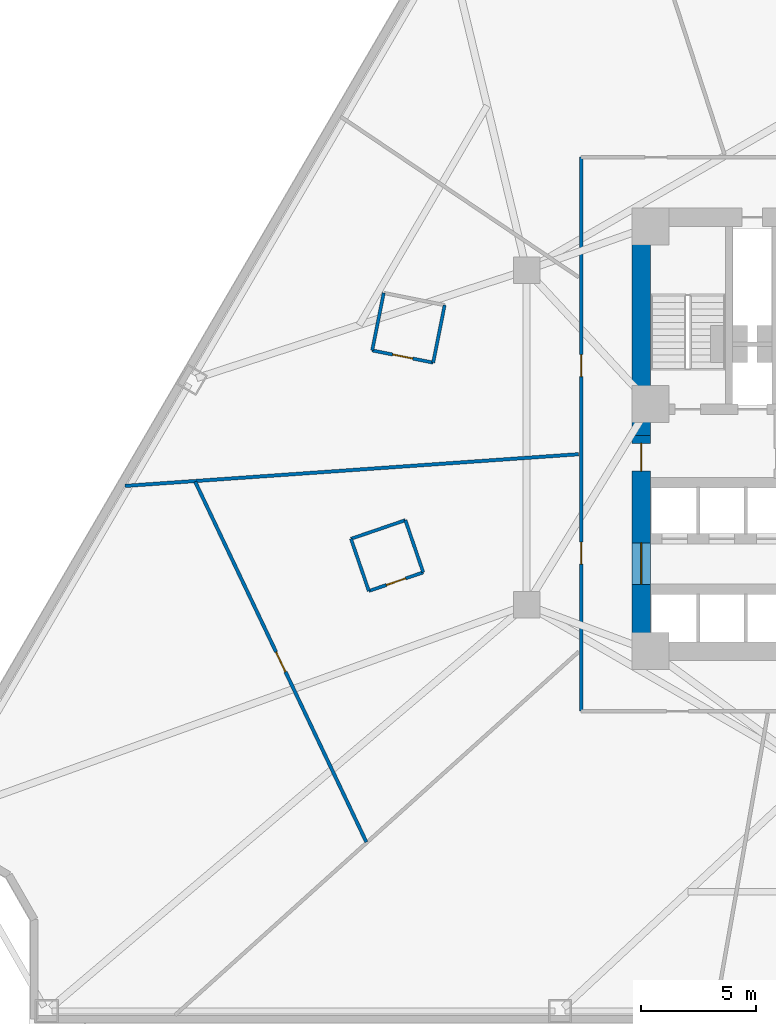
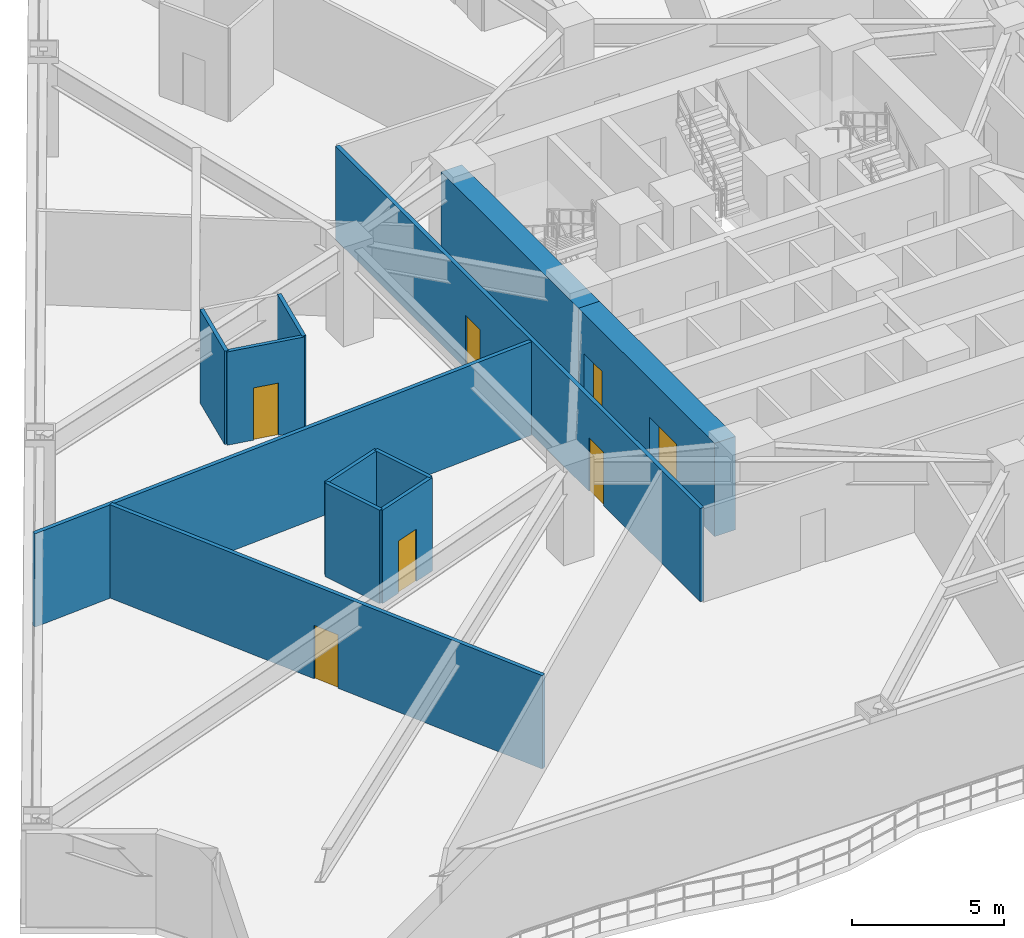
# One storey, part 3 of 10: 12 walls, 7 doors, 7 openings.
"""IFC4 building model written with IfcOpenShell, lengths in metres."""

from ifc_helpers import new_model, si_unit, direction, frame, frame_2d, origin, place, context, subcontext, project, spatial, rectangle, extrude, material, layer, layer_set, type_object, element, fill, save


model = new_model("IFC4")

# Units and contexts
model_context = context("Model", 3, precision=1e-05, world=origin(), true_north=direction((0.0, 1.0)))
body_context = subcontext(model_context, "Body", "Model", "MODEL_VIEW")
ifc_project = project(units=[si_unit("LENGTHUNIT", "METRE"), si_unit("AREAUNIT", "SQUARE_METRE"), si_unit("VOLUMEUNIT", "CUBIC_METRE"), si_unit("PLANEANGLEUNIT", "RADIAN"), si_unit("MASSUNIT", "GRAM", prefix="KILO")], contexts=[model_context])

# Site, building, storey
site_placement = place(None, origin())
site = spatial("IfcSite", under=ifc_project, at=site_placement, CompositionType="ELEMENT")
building_placement = place(site_placement, origin())
building = spatial("IfcBuilding", under=site, at=building_placement, Name="Apsidion Concourse Tower", CompositionType="ELEMENT")
storey_placement = place(building_placement, frame((0.0, 0.0, 38.39990234375)))
storey = spatial("IfcBuildingStorey", under=building, at=storey_placement, Name="L07", CompositionType="ELEMENT", Elevation=38.39990234375)

# Walls
ifc_material_1 = material(Name="Gypsum plasterboard partition")
ifc_layer_1 = layer(ifc_material_1, 0.139892578125)
ifc_layer_set_1 = layer_set([ifc_layer_1], Name="Gypsum plasterboard partition")
wall_type_1 = type_object("IfcWallType", Name="WL-INT-PAR-140", PredefinedType="PARTITIONING", material=ifc_layer_set_1)
wall_1_placement = place(storey_placement, frame((-17.8134765625, -3.579345703125, 0.0), z_axis=(0.0, 0.0, 1.0), x_axis=(-0.946073071665, -0.323953303843, 0.0)))
element("IfcWall", 1, at=wall_1_placement, inside=storey, type_object=wall_type_1, Name="L07 Interior Partition WL-L07-POD-HKAWC-S1", PredefinedType="PARTITIONING", context=body_context, shape_type="SweptSolid", body=[
    extrude(rectangle(XDim=2.489990234375, YDim=0.139892578125, at=frame_2d((1.2451171875, 0.0))), origin(), (0.0, 0.0, 1.0), 3.75),
])
wall_2_placement = place(storey_placement, frame((-20.169189453125, -4.385986328125, 0.0), z_axis=(0.0, 0.0, 1.0), x_axis=(0.323909063217, -0.946088219336, 0.0)))
element("IfcWall", 2, at=wall_2_placement, inside=storey, type_object=wall_type_1, Name="L07 Interior Partition WL-L07-POD-HKAWC-S2", PredefinedType="PARTITIONING", context=body_context, shape_type="SweptSolid", body=[
    extrude(rectangle(XDim=2.39013671875, YDim=0.139892578125, at=frame_2d((1.195068359375, 0.0))), origin(), (0.0, 0.0, 1.0), 3.75),
])

# Wall, opening, door
wall_3_placement = place(storey_placement, frame((-19.39501953125, -6.647216796875, 0.0), z_axis=(0.0, 0.0, 1.0), x_axis=(0.946073071665, 0.323953303843, 0.0)))
wall_3 = element("IfcWall", 3, at=wall_3_placement, inside=storey, type_object=wall_type_1, Name="L07 Interior Partition WL-L07-POD-HKAWC-S3", PredefinedType="PARTITIONING", context=body_context, shape_type="SweptSolid", body=[
    extrude(rectangle(XDim=2.489990234375, YDim=0.139892578125, at=frame_2d((1.2451171875, 0.0))), origin(), (0.0, 0.0, 1.0), 3.75),
])
opening_1_placement = place(wall_3_placement, frame((0.804931640625, 0.0, 0.0)))
opening_1 = element("IfcOpeningElement", 4, at=opening_1_placement, cuts=wall_3, Name="Opening D-03L", PredefinedType="OPENING", context=body_context, shape_type="SweptSolid", body=[
    extrude(rectangle(XDim=0.8798828125, YDim=2.10009765625, at=frame_2d((0.43994140625, 1.050048828125))), frame((0.0, 0.080078125, 0.0), z_axis=(0.0, -1.0, 0.0), x_axis=(1.0, 0.0, 0.0)), (0.0, 0.0, 1.0), 0.159912109375),
])
ifc_material_2 = material(Name="Anodised aluminium EN AW-6063 T6", Category="aluminium")
door_type_1 = type_object("IfcDoorType", Name="DR-INT-D03L", OperationType="SINGLE_SWING_LEFT", PredefinedType="DOOR", material=ifc_material_2)
door_1_placement = place(opening_1_placement, origin())
door_1 = element("IfcDoor", 5, at=door_1_placement, inside=storey, type_object=door_type_1, Name="L07 Hotel Accessible WC Door HKAWC", OperationType="SINGLE_SWING_LEFT", OverallHeight=2.10009765625, OverallWidth=0.8798828125, PredefinedType="DOOR", context=body_context, shape_type="SweptSolid", body=[
    extrude(rectangle(XDim=0.8798828125, YDim=2.10009765625, at=frame_2d((0.43994140625, 1.050048828125))), frame((0.0, 0.02490234375, 0.0), z_axis=(0.0, -1.0, 0.0), x_axis=(1.0, 0.0, 0.0)), (0.0, 0.0, 1.0), 0.050048828125),
])
fill(opening_1, door_1)

# Walls
wall_4_placement = place(storey_placement, frame((-17.039306640625, -5.840576171875, 0.0), z_axis=(0.0, 0.0, 1.0), x_axis=(-0.323909063217, 0.946088219336, 0.0)))
element("IfcWall", 6, at=wall_4_placement, inside=storey, type_object=wall_type_1, Name="L07 Interior Partition WL-L07-POD-HKAWC-S4", PredefinedType="PARTITIONING", context=body_context, shape_type="SweptSolid", body=[
    extrude(rectangle(XDim=2.39013671875, YDim=0.139892578125, at=frame_2d((1.195068359375, 0.0))), origin(), (0.0, 0.0, 1.0), 3.75),
])
wall_5_placement = place(storey_placement, frame((-18.749755859375, 6.266845703125, 0.0), z_axis=(0.0, 0.0, 1.0), x_axis=(-0.195986742402, -0.98060654536, 0.0)))
element("IfcWall", 7, at=wall_5_placement, inside=storey, type_object=wall_type_1, Name="L07 Interior Partition WL-L07-POD-ENS09-S2", PredefinedType="PARTITIONING", context=body_context, shape_type="SweptSolid", body=[
    extrude(rectangle(XDim=2.5400390625, YDim=0.139892578125, at=frame_2d((1.27001953125, 0.0))), origin(), (0.0, 0.0, 1.0), 3.75),
])

# Wall, opening, door
wall_6_placement = place(storey_placement, frame((-19.24755859375, 3.776123046875, 0.0), z_axis=(0.0, 0.0, 1.0), x_axis=(0.980615566205, -0.195941601799, 0.0)))
wall_6 = element("IfcWall", 8, at=wall_6_placement, inside=storey, type_object=wall_type_1, Name="L07 Interior Partition WL-L07-POD-ENS09-S3", PredefinedType="PARTITIONING", context=body_context, shape_type="SweptSolid", body=[
    extrude(rectangle(XDim=2.690185546875, YDim=0.139892578125, at=frame_2d((1.34521484375, 0.0))), origin(), (0.0, 0.0, 1.0), 3.75),
])
opening_2_placement = place(wall_6_placement, frame((0.905029296875, 0.0, 0.0)))
opening_2 = element("IfcOpeningElement", 9, at=opening_2_placement, cuts=wall_6, Name="Opening D-03R", PredefinedType="OPENING", context=body_context, shape_type="SweptSolid", body=[
    extrude(rectangle(XDim=0.8798828125, YDim=2.10009765625, at=frame_2d((0.43994140625, 1.050048828125))), frame((0.0, 0.080078125, 0.0), z_axis=(0.0, -1.0, 0.0), x_axis=(1.0, 0.0, 0.0)), (0.0, 0.0, 1.0), 0.159912109375),
])
door_type_2 = type_object("IfcDoorType", Name="DR-INT-D03R", OperationType="SINGLE_SWING_RIGHT", PredefinedType="DOOR", material=ifc_material_2)
door_2_placement = place(opening_2_placement, origin())
door_2 = element("IfcDoor", 10, at=door_2_placement, inside=storey, type_object=door_type_2, Name="L07 Guest En-Suite Bathroom Door ENS09", OperationType="SINGLE_SWING_RIGHT", OverallHeight=2.10009765625, OverallWidth=0.8798828125, PredefinedType="DOOR", context=body_context, shape_type="SweptSolid", body=[
    extrude(rectangle(XDim=0.8798828125, YDim=2.10009765625, at=frame_2d((0.43994140625, 1.050048828125))), frame((0.0, 0.02490234375, 0.0), z_axis=(0.0, -1.0, 0.0), x_axis=(1.0, 0.0, 0.0)), (0.0, 0.0, 1.0), 0.050048828125),
])
fill(opening_2, door_2)

# Wall
wall_7_placement = place(storey_placement, frame((-16.609619140625, 3.2490234375, 0.0), z_axis=(0.0, 0.0, 1.0), x_axis=(0.195986742402, 0.98060654536, 0.0)))
element("IfcWall", 11, at=wall_7_placement, inside=storey, type_object=wall_type_1, Name="L07 Interior Partition WL-L07-POD-ENS09-S4", PredefinedType="PARTITIONING", context=body_context, shape_type="SweptSolid", body=[
    extrude(rectangle(XDim=2.5400390625, YDim=0.139892578125, at=frame_2d((1.27001953125, 0.0))), origin(), (0.0, 0.0, 1.0), 3.75),
])

# Wall, openings, doors
ifc_layer_2 = layer(ifc_material_1, 0.14990234375)
ifc_layer_set_2 = layer_set([ifc_layer_2], Name="Gypsum plasterboard partition")
wall_type_2 = type_object("IfcWallType", Name="WL-INT-PAR-150", PredefinedType="PARTITIONING", material=ifc_layer_set_2)
wall_8_placement = place(storey_placement, frame((-10.199951171875, -11.85009765625, 0.0), z_axis=(0.0, 0.0, 1.0), x_axis=(0.0, 1.0, 0.0)))
wall_8 = element("IfcWall", 12, at=wall_8_placement, inside=storey, type_object=wall_type_2, Name="L07 Interior Partition WL-L07-CORR-04", PredefinedType="PARTITIONING", context=body_context, shape_type="SweptSolid", body=[
    extrude(rectangle(XDim=24.0, YDim=0.14990234375, at=frame_2d((12.0, 0.0))), origin(), (0.0, 0.0, 1.0), 3.75),
])
opening_3_placement = place(wall_8_placement, frame((6.372314453125, 0.0, 0.0)))
opening_3 = element("IfcOpeningElement", 13, at=opening_3_placement, cuts=wall_8, Name="Opening D-01L", PredefinedType="OPENING", context=body_context, shape_type="SweptSolid", body=[
    extrude(rectangle(XDim=0.949951171875, YDim=2.14990234375, at=frame_2d((0.47509765625, 1.074951171875))), frame((0.0, 0.0849609375, 0.0), z_axis=(0.0, -1.0, 0.0), x_axis=(1.0, 0.0, 0.0)), (0.0, 0.0, 1.0), 0.169921875),
])
opening_4_placement = place(wall_8_placement, frame((14.489013671875, 0.0, 0.0)))
opening_4 = element("IfcOpeningElement", 14, at=opening_4_placement, cuts=wall_8, Name="Opening D-01R", PredefinedType="OPENING", context=body_context, shape_type="SweptSolid", body=[
    extrude(rectangle(XDim=0.949951171875, YDim=2.14990234375, at=frame_2d((0.47509765625, 1.074951171875))), frame((0.0, 0.0849609375, 0.0), z_axis=(0.0, -1.0, 0.0), x_axis=(1.0, 0.0, 0.0)), (0.0, 0.0, 1.0), 0.169921875),
])
ifc_material_3 = material(Name="Brushed stainless steel 316", Category="steel")
door_type_3 = type_object("IfcDoorType", Name="DR-INT-D01L", OperationType="SINGLE_SWING_LEFT", PredefinedType="DOOR", material=ifc_material_3)
door_3_placement = place(opening_3_placement, origin())
door_3 = element("IfcDoor", 15, at=door_3_placement, inside=storey, type_object=door_type_3, Name="L07 Corridor Entry Door 01", OperationType="SINGLE_SWING_LEFT", OverallHeight=2.14990234375, OverallWidth=0.949951171875, PredefinedType="DOOR", context=body_context, shape_type="SweptSolid", body=[
    extrude(rectangle(XDim=0.949951171875, YDim=2.14990234375, at=frame_2d((0.47509765625, 1.074951171875))), frame((0.0, 0.02490234375, 0.0), z_axis=(0.0, -1.0, 0.0), x_axis=(1.0, 0.0, 0.0)), (0.0, 0.0, 1.0), 0.050048828125),
])
fill(opening_3, door_3)
door_type_4 = type_object("IfcDoorType", Name="DR-INT-D01R", OperationType="SINGLE_SWING_RIGHT", PredefinedType="DOOR", material=ifc_material_3)
door_4_placement = place(opening_4_placement, origin())
door_4 = element("IfcDoor", 16, at=door_4_placement, inside=storey, type_object=door_type_4, Name="L07 Corridor Entry Door 10", OperationType="SINGLE_SWING_RIGHT", OverallHeight=2.14990234375, OverallWidth=0.949951171875, PredefinedType="DOOR", context=body_context, shape_type="SweptSolid", body=[
    extrude(rectangle(XDim=0.949951171875, YDim=2.14990234375, at=frame_2d((0.47509765625, 1.074951171875))), frame((0.0, 0.02490234375, 0.0), z_axis=(0.0, -1.0, 0.0), x_axis=(1.0, 0.0, 0.0)), (0.0, 0.0, 1.0), 0.050048828125),
])
fill(opening_4, door_4)

# Wall
wall_9_placement = place(storey_placement, frame((-10.304931640625, -0.720703125, 0.0), z_axis=(0.0, 0.0, 1.0), x_axis=(-0.997564481565, -0.069750305525, 0.0)))
element("IfcWall", 17, at=wall_9_placement, inside=storey, type_object=wall_type_2, Name="L07 Interior Partition WL-L07-RAD-06-1", PredefinedType="PARTITIONING", context=body_context, shape_type="SweptSolid", body=[
    extrude(rectangle(XDim=19.695556640625, YDim=0.14990234375, at=frame_2d((9.84765625, 0.0))), origin(), (0.0, 0.0, 1.0), 3.75),
])

# Wall, opening, door
wall_10_placement = place(storey_placement, frame((-26.921630859375, -1.90771484375, 0.0), z_axis=(0.0, 0.0, 1.0), x_axis=(0.429066894507, -0.903272716314, 0.0)))
wall_10 = element("IfcWall", 18, at=wall_10_placement, inside=storey, type_object=wall_type_2, Name="L07 Interior Partition WL-L07-CHD-HKWC", PredefinedType="PARTITIONING", context=body_context, shape_type="SweptSolid", body=[
    extrude(rectangle(XDim=17.29150390625, YDim=0.14990234375, at=frame_2d((8.645751953125, 0.0))), origin(), (0.0, 0.0, 1.0), 3.75),
])
opening_5_placement = place(wall_10_placement, frame((8.170654296875, 0.0, 0.0)))
opening_5 = element("IfcOpeningElement", 19, at=opening_5_placement, cuts=wall_10, Name="Opening D-04R", PredefinedType="OPENING", context=body_context, shape_type="SweptSolid", body=[
    extrude(rectangle(XDim=0.949951171875, YDim=2.14990234375, at=frame_2d((0.47509765625, 1.074951171875))), frame((0.0, 0.0849609375, 0.0), z_axis=(0.0, -1.0, 0.0), x_axis=(1.0, 0.0, 0.0)), (0.0, 0.0, 1.0), 0.169921875),
])
door_type_5 = type_object("IfcDoorType", Name="DR-INT-D04R", OperationType="SINGLE_SWING_RIGHT", PredefinedType="DOOR", material=ifc_material_3)
door_5_placement = place(opening_5_placement, origin())
door_5 = element("IfcDoor", 20, at=door_5_placement, inside=storey, type_object=door_type_5, Name="L07 Suite Connecting Door HKWC", OperationType="SINGLE_SWING_RIGHT", OverallHeight=2.14990234375, OverallWidth=0.949951171875, PredefinedType="DOOR", context=body_context, shape_type="SweptSolid", body=[
    extrude(rectangle(XDim=0.949951171875, YDim=2.14990234375, at=frame_2d((0.47509765625, 1.074951171875))), frame((0.0, 0.02490234375, 0.0), z_axis=(0.0, -1.0, 0.0), x_axis=(1.0, 0.0, 0.0)), (0.0, 0.0, 1.0), 0.050048828125),
])
fill(opening_5, door_5)

# Wall
ifc_material_4 = material(Name="Concrete C60/75", Category="concrete")
ifc_layer_3 = layer(ifc_material_4, 0.800048828125)
ifc_layer_set_3 = layer_set([ifc_layer_3], Name="Concrete C60/75")
wall_type_3 = type_object("IfcWallType", Name="WL-SH-800", PredefinedType="SHEAR", material=ifc_layer_set_3)
wall_11_placement = place(storey_placement, frame((-7.60009765625, 0.10009765625, 0.0), z_axis=(0.0, 0.0, 1.0), x_axis=(0.0, 1.0, 0.0)))
element("IfcWall", 21, at=wall_11_placement, inside=storey, type_object=wall_type_3, Name="L07 Central Core Shear Wall WN", PredefinedType="SHEAR", context=body_context, shape_type="SweptSolid", body=[
    extrude(rectangle(XDim=9.0498046875, YDim=0.800048828125, at=frame_2d((4.52490234375, 0.0))), origin(), (0.0, 0.0, 1.0), 3.75),
])

# Wall, openings, doors
wall_12_placement = place(storey_placement, frame((-7.60009765625, -8.85009765625, 0.0), z_axis=(0.0, 0.0, 1.0), x_axis=(0.0, 1.0, 0.0)))
wall_12 = element("IfcWall", 22, at=wall_12_placement, inside=storey, type_object=wall_type_3, Name="L07 Central Core Shear Wall WS", PredefinedType="SHEAR", context=body_context, shape_type="SweptSolid", body=[
    extrude(rectangle(XDim=8.9501953125, YDim=0.800048828125, at=frame_2d((4.47509765625, 0.0))), origin(), (0.0, 0.0, 1.0), 3.75),
])
opening_6_placement = place(wall_12_placement, frame((2.489990234375, 0.0, 0.0)))
opening_6 = element("IfcOpeningElement", 23, at=opening_6_placement, cuts=wall_12, Name="Opening D-06D", PredefinedType="OPENING", context=body_context, shape_type="SweptSolid", body=[
    extrude(rectangle(XDim=1.800048828125, YDim=2.199951171875, at=frame_2d((0.89990234375, 1.10009765625))), frame((0.0, 0.41015625, 0.0), z_axis=(0.0, -1.0, 0.0), x_axis=(1.0, 0.0, 0.0)), (0.0, 0.0, 1.0), 0.820068359375),
])
opening_7_placement = place(wall_12_placement, frame((7.39990234375, 0.0, 0.0)))
opening_7 = element("IfcOpeningElement", 24, at=opening_7_placement, cuts=wall_12, Name="Opening D-FFL", PredefinedType="OPENING", context=body_context, shape_type="SweptSolid", body=[
    extrude(rectangle(XDim=1.199951171875, YDim=2.14990234375, at=frame_2d((0.60009765625, 1.074951171875))), frame((0.0, 0.41015625, 0.0), z_axis=(0.0, -1.0, 0.0), x_axis=(1.0, 0.0, 0.0)), (0.0, 0.0, 1.0), 0.820068359375),
])
door_type_6 = type_object("IfcDoorType", Name="DR-INT-D06D", OperationType="DOUBLE_DOOR_SINGLE_SWING", PredefinedType="DOOR", material=ifc_material_3)
door_6_placement = place(opening_6_placement, origin())
door_6 = element("IfcDoor", 25, at=door_6_placement, inside=storey, type_object=door_type_6, Name="L07 Passenger Lift Lobby WS Portal Door", OperationType="DOUBLE_DOOR_SINGLE_SWING", OverallHeight=2.199951171875, OverallWidth=1.800048828125, PredefinedType="DOOR", context=body_context, shape_type="SweptSolid", body=[
    extrude(rectangle(XDim=1.800048828125, YDim=2.199951171875, at=frame_2d((0.89990234375, 1.10009765625))), frame((0.0, 0.02490234375, 0.0), z_axis=(0.0, -1.0, 0.0), x_axis=(1.0, 0.0, 0.0)), (0.0, 0.0, 1.0), 0.050048828125),
])
fill(opening_6, door_6)
door_type_7 = type_object("IfcDoorType", Name="DR-INT-FFL", OperationType="SINGLE_SWING_LEFT", PredefinedType="DOOR", material=ifc_material_3)
door_7_placement = place(opening_7_placement, origin())
door_7 = element("IfcDoor", 26, at=door_7_placement, inside=storey, type_object=door_type_7, Name="L07 Firefighting Lift Lobby FF1 Door", OperationType="SINGLE_SWING_LEFT", OverallHeight=2.14990234375, OverallWidth=1.199951171875, PredefinedType="DOOR", context=body_context, shape_type="SweptSolid", body=[
    extrude(rectangle(XDim=1.199951171875, YDim=2.14990234375, at=frame_2d((0.60009765625, 1.074951171875))), frame((0.0, 0.02490234375, 0.0), z_axis=(0.0, -1.0, 0.0), x_axis=(1.0, 0.0, 0.0)), (0.0, 0.0, 1.0), 0.050048828125),
])
fill(opening_7, door_7)

save(model, "model.ifc")
